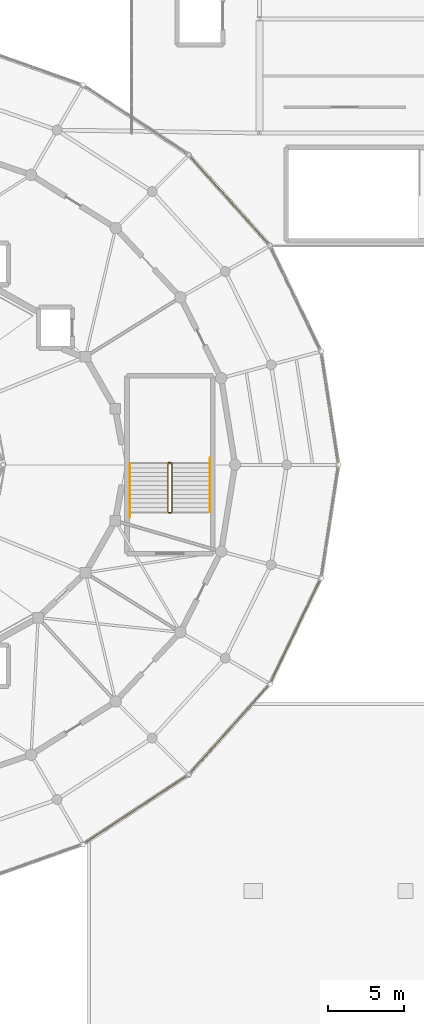
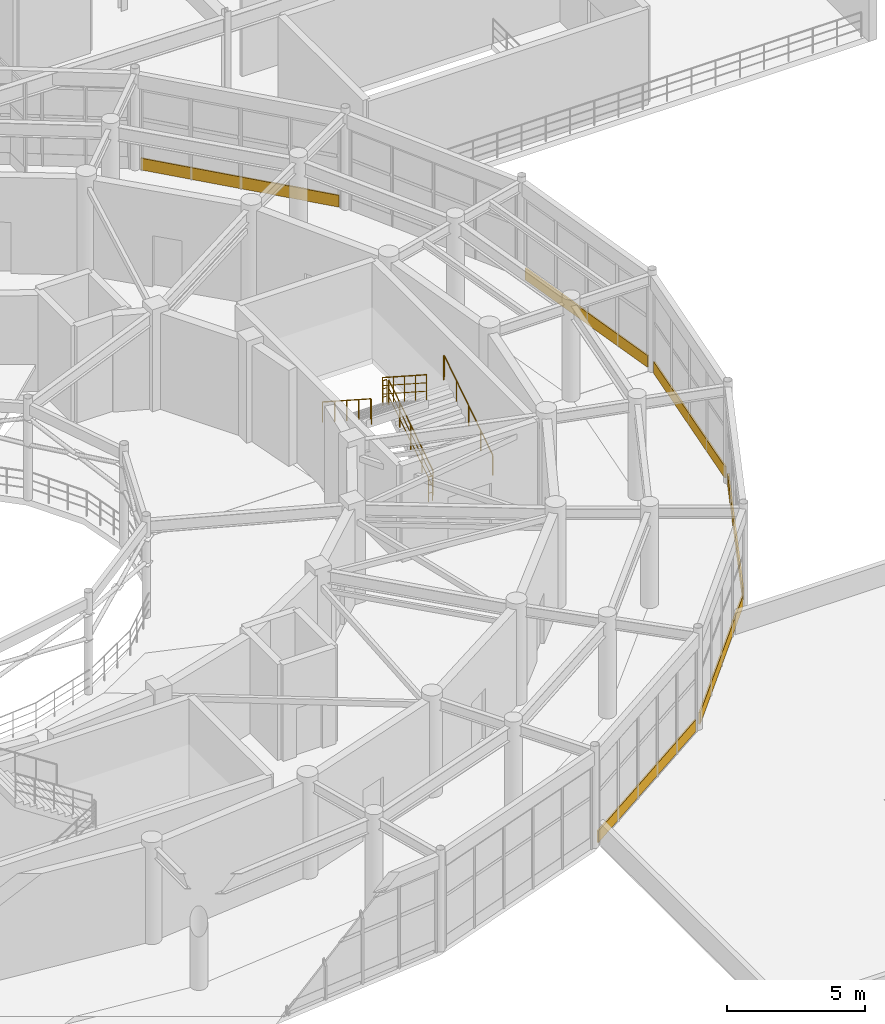
# One storey, part 111 of 112: 6 coverings, 6 railings.
"""IFC4 building model written with IfcOpenShell, lengths in metres."""

from ifc_helpers import new_model, si_unit, direction, frame, origin, origin_2d, place, context, subcontext, project, spatial, rectangle, circle, extrude, material, layer, layer_set, type_object, element, save


model = new_model("IFC4")

# Units and contexts
model_context = context("Model", 3, precision=1e-05, world=origin(), true_north=direction((0.0, 1.0)))
body_context = subcontext(model_context, "Body", "Model", "MODEL_VIEW")
ifc_project = project(units=[si_unit("LENGTHUNIT", "METRE"), si_unit("AREAUNIT", "SQUARE_METRE"), si_unit("VOLUMEUNIT", "CUBIC_METRE"), si_unit("PLANEANGLEUNIT", "RADIAN"), si_unit("MASSUNIT", "GRAM", prefix="KILO")], contexts=[model_context])

# Site, building, storey
site_placement = place(None, origin())
site = spatial("IfcSite", under=ifc_project, at=site_placement, CompositionType="ELEMENT")
building_placement = place(site_placement, origin())
building = spatial("IfcBuilding", under=site, at=building_placement, Name="Cinderbank Siding Concert Hall", CompositionType="ELEMENT")
storey_placement = place(building_placement, frame((0.0, 0.0, 10.199951171875)))
storey = spatial("IfcBuildingStorey", under=building, at=storey_placement, Name="L03", CompositionType="ELEMENT", Elevation=10.199951171875)

# Coverings
ifc_material_1 = material(Name="Spotted gum glulam timber GL18 (42 MPa)", Category="wood")
ifc_layer = layer(ifc_material_1, 0.06494140625)
ifc_layer_set = layer_set([ifc_layer], Name="Spotted gum glulam timber GL18 (42 MPa)")
covering_type = type_object("IfcCoveringType", Name="CL-01 Spotted Gum Spandrel Band 520mm", PredefinedType="CLADDING", material=ifc_layer_set)
covering_1_placement = place(storey_placement, frame((155.027587890625, 47.72705078125, 0.0), z_axis=(0.0, 0.0, 1.0), x_axis=(-0.151815048473, 0.988408918949, 0.0)))
element("IfcCovering", 1, at=covering_1_placement, inside=storey, type_object=covering_type, Name="CW-L03-025 Spotted Gum Spandrel Band", PredefinedType="CLADDING", context=body_context, shape_type="SweptSolid", body=[
    extrude(rectangle(XDim=7.08740234375, YDim=0.06494140625, at=origin_2d()), origin(), (0.0, 0.0, 1.0), 0.52001953125),
])
covering_2_placement = place(storey_placement, frame((148.4287109375, 61.38232421875, 0.0), z_axis=(0.0, 0.0, 1.0), x_axis=(-0.666993465338, 0.745063565877, 0.0)))
element("IfcCovering", 2, at=covering_2_placement, inside=storey, type_object=covering_type, Name="CW-L03-027 Spotted Gum Spandrel Band", PredefinedType="CLADDING", context=body_context, shape_type="SweptSolid", body=[
    extrude(rectangle(XDim=7.5517578125, YDim=0.06494140625, at=origin_2d()), origin(), (0.0, 0.0, 1.0), 0.52001953125),
])
covering_3_placement = place(storey_placement, frame((142.279296875, 21.346923828125, 0.0), z_axis=(0.0, 0.0, 1.0), x_axis=(0.835491932304, 0.549502712509, 0.0)))
element("IfcCovering", 3, at=covering_3_placement, inside=storey, type_object=covering_type, Name="CW-L03-045 Spotted Gum Spandrel Band", PredefinedType="CLADDING", context=body_context, shape_type="SweptSolid", body=[
    extrude(rectangle(XDim=7.875, YDim=0.06494140625, at=origin_2d()), origin(), (0.0, 0.0, 1.0), 0.52001953125),
])
covering_4_placement = place(storey_placement, frame((148.4287109375, 26.61767578125, 0.0), z_axis=(0.0, 0.0, 1.0), x_axis=(0.666993465338, 0.745063565877, 0.0)))
element("IfcCovering", 4, at=covering_4_placement, inside=storey, type_object=covering_type, Name="CW-L03-046 Spotted Gum Spandrel Band", PredefinedType="CLADDING", context=body_context, shape_type="SweptSolid", body=[
    extrude(rectangle(XDim=7.5517578125, YDim=0.06494140625, at=origin_2d()), origin(), (0.0, 0.0, 1.0), 0.52001953125),
])
covering_5_placement = place(storey_placement, frame((152.77685546875, 33.072998046875, 0.0), z_axis=(0.0, 0.0, 1.0), x_axis=(0.435102109714, 0.900381116041, 0.0)))
element("IfcCovering", 5, at=covering_5_placement, inside=storey, type_object=covering_type, Name="CW-L03-047 Spotted Gum Spandrel Band", PredefinedType="CLADDING", context=body_context, shape_type="SweptSolid", body=[
    extrude(rectangle(XDim=7.260498046875, YDim=0.06494140625, at=origin_2d()), origin(), (0.0, 0.0, 1.0), 0.52001953125),
])
covering_6_placement = place(storey_placement, frame((155.027587890625, 40.27294921875, 0.0), z_axis=(0.0, 0.0, 1.0), x_axis=(0.151815048473, 0.988408918949, 0.0)))
element("IfcCovering", 6, at=covering_6_placement, inside=storey, type_object=covering_type, Name="CW-L03-048 Spotted Gum Spandrel Band", PredefinedType="CLADDING", context=body_context, shape_type="SweptSolid", body=[
    extrude(rectangle(XDim=7.08740234375, YDim=0.06494140625, at=origin_2d()), origin(), (0.0, 0.0, 1.0), 0.52001953125),
])

# Railings
ifc_material_2 = material(Name="Structural steel AS/NZS 3679.1 Grade 350 (340 MPa)", Category="steel")
railing_type_1 = type_object("IfcRailingType", Name="STG-01 Stair Well Guardrail 1120mm", PredefinedType="GUARDRAIL", material=ifc_material_2)
railing_1_placement = place(storey_placement, frame((144.64990234375, 40.89990234375, 0.1875)))
element("IfcRailing", 7, at=railing_1_placement, inside=storey, type_object=railing_type_1, Name="L03 ST-03 stair guard 1", PredefinedType="GUARDRAIL", context=body_context, shape_type="SweptSolid", body=[
    extrude(circle(Radius=0.02392578125, at=origin_2d()), frame((0.0, 0.0, 1.09619140625), z_axis=(0.0, 0.839778728322, 0.542928805147), x_axis=(-1.0, 0.0, 0.0)), (0.0, 0.0, 1.0), 3.798828125),
    extrude(circle(Radius=0.01611328125, at=origin_2d()), frame((0.0, 0.0, 0.36962890625), z_axis=(0.0, 0.839778728322, 0.542928805147), x_axis=(-1.0, 0.0, 0.0)), (0.0, 0.0, 1.0), 3.798828125),
    extrude(circle(Radius=0.01611328125, at=origin_2d()), frame((0.0, 0.0, 0.7392578125), z_axis=(0.0, 0.839778728322, 0.542928805147), x_axis=(-1.0, 0.0, 0.0)), (0.0, 0.0, 1.0), 3.798828125),
    extrude(circle(Radius=0.02099609375, at=origin_2d()), origin(), (0.0, 0.0, 1.0), 1.072021484375),
    extrude(circle(Radius=0.02099609375, at=origin_2d()), frame((0.0, 0.797607421875, 0.515625)), (0.0, 0.0, 1.0), 1.072021484375),
    extrude(circle(Radius=0.02099609375, at=origin_2d()), frame((0.0, 1.59521484375, 1.03125)), (0.0, 0.0, 1.0), 1.072021484375),
    extrude(circle(Radius=0.02099609375, at=origin_2d()), frame((0.0, 2.392578125, 1.546875)), (0.0, 0.0, 1.0), 1.072021484375),
    extrude(circle(Radius=0.02099609375, at=origin_2d()), frame((0.0, 3.190185546875, 2.0625)), (0.0, 0.0, 1.0), 1.072021484375),
])
railing_2_placement = place(storey_placement, frame((144.60009765625, 44.139892578125, 2.25)))
element("IfcRailing", 8, at=railing_2_placement, inside=storey, type_object=railing_type_1, Name="L03 ST-03 stair guard 2", PredefinedType="GUARDRAIL", context=body_context, shape_type="SweptSolid", body=[
    extrude(circle(Radius=0.02392578125, at=origin_2d()), frame((0.0, 0.0, 1.09619140625), z_axis=(-1.0, 0.0, 0.0), x_axis=(0.0, -1.0, 0.0)), (0.0, 0.0, 1.0), 0.16015625),
    extrude(circle(Radius=0.01611328125, at=origin_2d()), frame((0.0, 0.0, 0.36962890625), z_axis=(-1.0, 0.0, 0.0), x_axis=(0.0, -1.0, 0.0)), (0.0, 0.0, 1.0), 0.16015625),
    extrude(circle(Radius=0.01611328125, at=origin_2d()), frame((0.0, 0.0, 0.7392578125), z_axis=(-1.0, 0.0, 0.0), x_axis=(0.0, -1.0, 0.0)), (0.0, 0.0, 1.0), 0.16015625),
    extrude(circle(Radius=0.02099609375, at=origin_2d()), origin(), (0.0, 0.0, 1.0), 1.072021484375),
    extrude(circle(Radius=0.02099609375, at=origin_2d()), frame((-0.16015625, 0.0, 0.0)), (0.0, 0.0, 1.0), 1.072021484375),
])
railing_3_placement = place(storey_placement, frame((144.389892578125, 44.090087890625, 2.4375)))
element("IfcRailing", 9, at=railing_3_placement, inside=storey, type_object=railing_type_1, Name="L03 ST-03 stair guard 3", PredefinedType="GUARDRAIL", context=body_context, shape_type="SweptSolid", body=[
    extrude(circle(Radius=0.02392578125, at=origin_2d()), frame((0.0, 0.0, 1.09619140625), z_axis=(0.0, -0.839778728322, 0.542928805147), x_axis=(1.0, 0.0, 0.0)), (0.0, 0.0, 1.0), 3.798828125),
    extrude(circle(Radius=0.01611328125, at=origin_2d()), frame((0.0, 0.0, 0.36962890625), z_axis=(0.0, -0.839778728322, 0.542928805147), x_axis=(1.0, 0.0, 0.0)), (0.0, 0.0, 1.0), 3.798828125),
    extrude(circle(Radius=0.01611328125, at=origin_2d()), frame((0.0, 0.0, 0.7392578125), z_axis=(0.0, -0.839778728322, 0.542928805147), x_axis=(1.0, 0.0, 0.0)), (0.0, 0.0, 1.0), 3.798828125),
    extrude(circle(Radius=0.02099609375, at=origin_2d()), origin(), (0.0, 0.0, 1.0), 1.072021484375),
    extrude(circle(Radius=0.02099609375, at=origin_2d()), frame((0.0, -0.797607421875, 0.515625)), (0.0, 0.0, 1.0), 1.072021484375),
    extrude(circle(Radius=0.02099609375, at=origin_2d()), frame((0.0, -1.59521484375, 1.03125)), (0.0, 0.0, 1.0), 1.072021484375),
    extrude(circle(Radius=0.02099609375, at=origin_2d()), frame((0.0, -2.392578125, 1.546875)), (0.0, 0.0, 1.0), 1.072021484375),
    extrude(circle(Radius=0.02099609375, at=origin_2d()), frame((0.0, -3.190185546875, 2.0625)), (0.0, 0.0, 1.0), 1.072021484375),
])
railing_4_placement = place(storey_placement, frame((144.60009765625, 40.85009765625, 0.0)))
element("IfcRailing", 10, at=railing_4_placement, inside=storey, type_object=railing_type_1, Name="L03 ST-03 stair guard 4", PredefinedType="GUARDRAIL", context=body_context, shape_type="SweptSolid", body=[
    extrude(circle(Radius=0.02392578125, at=origin_2d()), frame((0.0, 0.0, 1.09619140625), z_axis=(-1.0, 0.0, 0.0), x_axis=(0.0, -1.0, 0.0)), (0.0, 0.0, 1.0), 0.16015625),
    extrude(circle(Radius=0.01611328125, at=origin_2d()), frame((0.0, 0.0, 0.36962890625), z_axis=(-1.0, 0.0, 0.0), x_axis=(0.0, -1.0, 0.0)), (0.0, 0.0, 1.0), 0.16015625),
    extrude(circle(Radius=0.01611328125, at=origin_2d()), frame((0.0, 0.0, 0.7392578125), z_axis=(-1.0, 0.0, 0.0), x_axis=(0.0, -1.0, 0.0)), (0.0, 0.0, 1.0), 0.16015625),
    extrude(circle(Radius=0.02099609375, at=origin_2d()), origin(), (0.0, 0.0, 1.0), 1.072021484375),
    extrude(circle(Radius=0.02099609375, at=origin_2d()), frame((-0.16015625, 0.0, 0.0)), (0.0, 0.0, 1.0), 1.072021484375),
])
railing_type_2 = type_object("IfcRailingType", Name="STH-01 Stair Pitch Handrail 920mm", PredefinedType="HANDRAIL", material=ifc_material_2)
railing_5_placement = place(storey_placement, frame((147.14990234375, 40.89990234375, 0.1875)))
element("IfcRailing", 11, at=railing_5_placement, inside=storey, type_object=railing_type_2, Name="L03 ST-03 stair handrail 1", PredefinedType="HANDRAIL", context=body_context, shape_type="SweptSolid", body=[
    extrude(circle(Radius=0.02392578125, at=origin_2d()), frame((0.0, 0.0, 0.89599609375), z_axis=(0.0, 0.839762940478, 0.542953224319), x_axis=(-1.0, 0.0, 0.0)), (0.0, 0.0, 1.0), 4.14404296875),
    extrude(circle(Radius=0.02392578125, at=origin_2d()), frame((0.0, 3.47998046875, 3.14599609375), z_axis=(0.0, 1.0, 0.0), x_axis=(-1.0, 0.0, 0.0)), (0.0, 0.0, 1.0), 0.06005859375),
    extrude(circle(Radius=0.02099609375, at=origin_2d()), origin(), (0.0, 0.0, 1.0), 0.871826171875),
    extrude(circle(Radius=0.02099609375, at=origin_2d()), frame((0.0, 0.8701171875, 0.5625)), (0.0, 0.0, 1.0), 0.871826171875),
    extrude(circle(Radius=0.02099609375, at=origin_2d()), frame((0.0, 1.739990234375, 1.125)), (0.0, 0.0, 1.0), 0.871826171875),
    extrude(circle(Radius=0.02099609375, at=origin_2d()), frame((0.0, 2.60986328125, 1.6875)), (0.0, 0.0, 1.0), 0.871826171875),
    extrude(circle(Radius=0.02099609375, at=origin_2d()), frame((0.0, 3.47998046875, 2.25)), (0.0, 0.0, 1.0), 0.871826171875),
    extrude(circle(Radius=0.02099609375, at=origin_2d()), frame((0.0, 3.5400390625, 2.0625)), (0.0, 0.0, 1.0), 1.059326171875),
])
railing_6_placement = place(storey_placement, frame((141.889892578125, 44.090087890625, 2.4375)))
element("IfcRailing", 12, at=railing_6_placement, inside=storey, type_object=railing_type_2, Name="L03 ST-03 stair handrail 2", PredefinedType="HANDRAIL", context=body_context, shape_type="SweptSolid", body=[
    extrude(circle(Radius=0.02392578125, at=origin_2d()), frame((0.0, 0.0, 0.89599609375), z_axis=(0.0, -0.839762940478, 0.542953224319), x_axis=(1.0, 0.0, 0.0)), (0.0, 0.0, 1.0), 4.14404296875),
    extrude(circle(Radius=0.02392578125, at=origin_2d()), frame((0.0, -3.47998046875, 3.14599609375), z_axis=(0.0, -1.0, 0.0), x_axis=(1.0, 0.0, 0.0)), (0.0, 0.0, 1.0), 0.06005859375),
    extrude(circle(Radius=0.02099609375, at=origin_2d()), origin(), (0.0, 0.0, 1.0), 0.871826171875),
    extrude(circle(Radius=0.02099609375, at=origin_2d()), frame((0.0, -0.8701171875, 0.5625)), (0.0, 0.0, 1.0), 0.871826171875),
    extrude(circle(Radius=0.02099609375, at=origin_2d()), frame((0.0, -1.739990234375, 1.125)), (0.0, 0.0, 1.0), 0.871826171875),
    extrude(circle(Radius=0.02099609375, at=origin_2d()), frame((0.0, -2.60986328125, 1.6875)), (0.0, 0.0, 1.0), 0.871826171875),
    extrude(circle(Radius=0.02099609375, at=origin_2d()), frame((0.0, -3.47998046875, 2.25)), (0.0, 0.0, 1.0), 0.871826171875),
    extrude(circle(Radius=0.02099609375, at=origin_2d()), frame((0.0, -3.5400390625, 2.0625)), (0.0, 0.0, 1.0), 1.059326171875),
])

save(model, "model.ifc")
